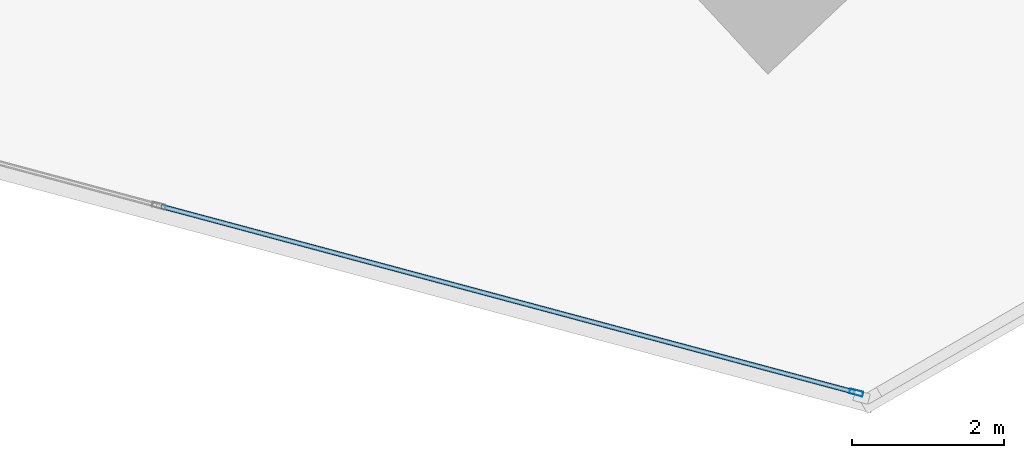
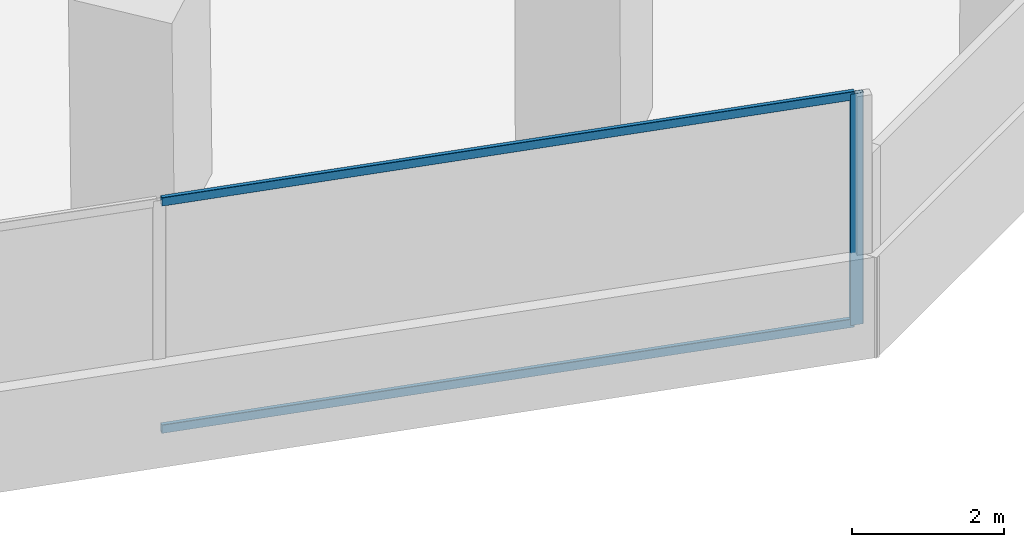
# One storey, part 9 of 27: 3 members, 1 element without a shape of its own.
"""IFC4 building model written with IfcOpenShell, lengths in metres."""

from ifc_helpers import new_model, si_unit, direction, frame, origin, origin_2d, place, context, subcontext, project, spatial, hollow_rectangle, extrude, source, transform, mapped, material, material_profile, profile_set, type_object, element, aggregate, save


model = new_model("IFC4")

# Units and contexts
model_context = context("Model", 3, precision=1e-05, world=origin(), true_north=direction((0.0, 1.0)))
body_context = subcontext(model_context, "Body", "Model", "MODEL_VIEW")
ifc_project = project(units=[si_unit("LENGTHUNIT", "METRE"), si_unit("AREAUNIT", "SQUARE_METRE"), si_unit("VOLUMEUNIT", "CUBIC_METRE"), si_unit("PLANEANGLEUNIT", "RADIAN"), si_unit("MASSUNIT", "GRAM", prefix="KILO")], contexts=[model_context])

# Site, building, storey
site_placement = place(None, origin())
site = spatial("IfcSite", under=ifc_project, at=site_placement, CompositionType="ELEMENT")
building_placement = place(site_placement, origin())
building = spatial("IfcBuilding", under=site, at=building_placement, Name="Torre Montelarca", CompositionType="ELEMENT")
storey_placement = place(building_placement, frame((0.0, 0.0, 108.39990234375)))
storey = spatial("IfcBuildingStorey", under=building, at=storey_placement, Name="L24", CompositionType="ELEMENT", Elevation=108.39990234375)

# Curtain wall, members
ifc_material_1 = material(Name="Insulated low-E laminated glass", Category="glass")
curtain_wall_type = type_object("IfcCurtainWallType", Name="CW-SYS-Z1", PredefinedType="USERDEFINED", material=ifc_material_1)
curtain_wall_placement = place(storey_placement, origin())
curtain_wall = element("IfcCurtainWall", 1, at=curtain_wall_placement, inside=storey, type_object=curtain_wall_type, Name="L24 Curtain Wall Run CW-T3-L24-E04-B1", ObjectType="UNITISED GLAZING", PredefinedType="USERDEFINED")
ifc_material_2 = material(Name="Anodised aluminium AA 6063-T6", Category="aluminium")
ifc_material_profile_1 = material_profile(ifc_material_2, hollow_rectangle(XDim=0.06494140625, YDim=0.179931640625, WallThickness=0.00390625, InnerFilletRadius=0.00390625, OuterFilletRadius=0.008056640625, at=origin_2d()), Name="ALU65X180X4", Category="aluminium")
ifc_profile_set_1 = profile_set([ifc_material_profile_1], Name="Anodised aluminium AA 6063-T6")
member_type_1 = type_object("IfcMemberType", Name="CWM-ALU180", PredefinedType="MULLION", material=ifc_profile_set_1)
shared_shape_1 = source(origin(), body_context, "Body", "SweptSolid", [
    extrude(hollow_rectangle(XDim=0.06494140625, YDim=0.179931640625, WallThickness=0.00390625, InnerFilletRadius=0.00390625, OuterFilletRadius=0.008056640625, at=origin_2d()), origin(), (0.0, 0.0, 1.0), 3.72021484375),
])
member_1_placement = place(storey_placement, frame((51.481201171875, 9.814208984375, 0.0), z_axis=(0.0, 0.0, 1.0), x_axis=(0.258823354003, 0.965924671712, 0.0)))
member_1 = element("IfcMember", 2, at=member_1_placement, type_object=member_type_1, Name="CW mullion 3", PredefinedType="MULLION", context=body_context, shape_type="MappedRepresentation", body=[
    mapped(shared_shape_1, transform((0.0, 0.0, 0.0), scale=1.0)),
])
ifc_material_profile_2 = material_profile(ifc_material_2, hollow_rectangle(XDim=0.06494140625, YDim=0.139892578125, WallThickness=0.00390625, InnerFilletRadius=0.00390625, OuterFilletRadius=0.008056640625, at=origin_2d()), Name="ALU65X140X4", Category="aluminium")
ifc_profile_set_2 = profile_set([ifc_material_profile_2], Name="Anodised aluminium AA 6063-T6")
member_type_2 = type_object("IfcMemberType", Name="CWT-ALU140", PredefinedType="USERDEFINED", material=ifc_profile_set_2)
shared_shape_2 = source(origin(), body_context, "Body", "SweptSolid", [
    extrude(hollow_rectangle(XDim=0.06494140625, YDim=0.139892578125, WallThickness=0.00390625, InnerFilletRadius=0.00390625, OuterFilletRadius=0.008056640625, at=origin_2d()), origin(), (0.0, 0.0, 1.0), 9.44873046875),
])
member_2_placement = place(storey_placement, frame((42.322998046875, 12.268310546875, 0.03271484375), z_axis=(0.965924176867, -0.258825200751, 0.0), x_axis=(0.258825200751, 0.965924176867, 0.0)))
member_2 = element("IfcMember", 3, at=member_2_placement, type_object=member_type_2, Name="CW transom 2.1", ObjectType="TRANSOM", PredefinedType="USERDEFINED", context=body_context, shape_type="MappedRepresentation", body=[
    mapped(shared_shape_2, transform((0.0, 0.0, 0.0), scale=1.0)),
])
member_3_placement = place(storey_placement, frame((42.322998046875, 12.268310546875, 3.6875), z_axis=(0.965924176867, -0.258825200751, 0.0), x_axis=(0.258825200751, 0.965924176867, 0.0)))
member_3 = element("IfcMember", 4, at=member_3_placement, type_object=member_type_2, Name="CW transom 2.2", ObjectType="TRANSOM", PredefinedType="USERDEFINED", context=body_context, shape_type="MappedRepresentation", body=[
    mapped(shared_shape_2, transform((0.0, 0.0, 0.0), scale=1.0)),
])
aggregate(curtain_wall, [member_1, member_2, member_3])

save(model, "model.ifc")
